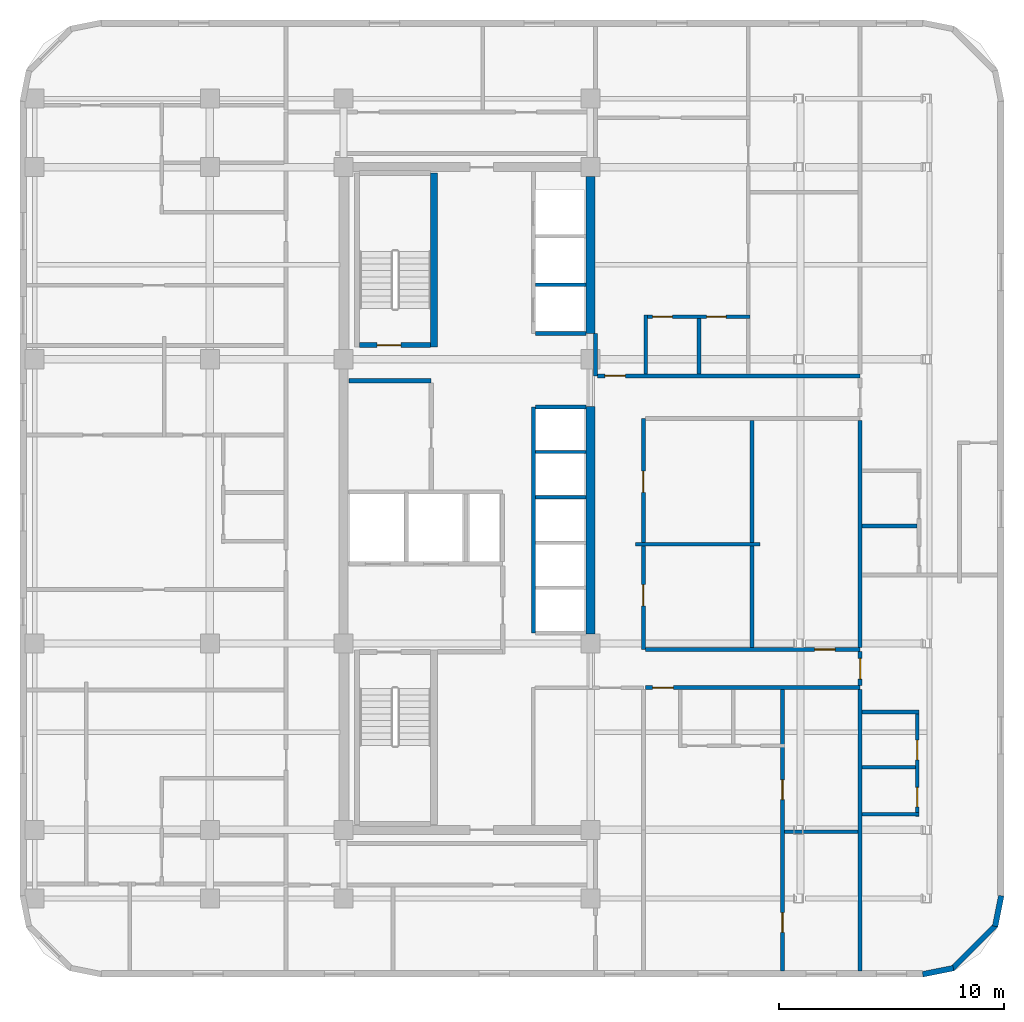
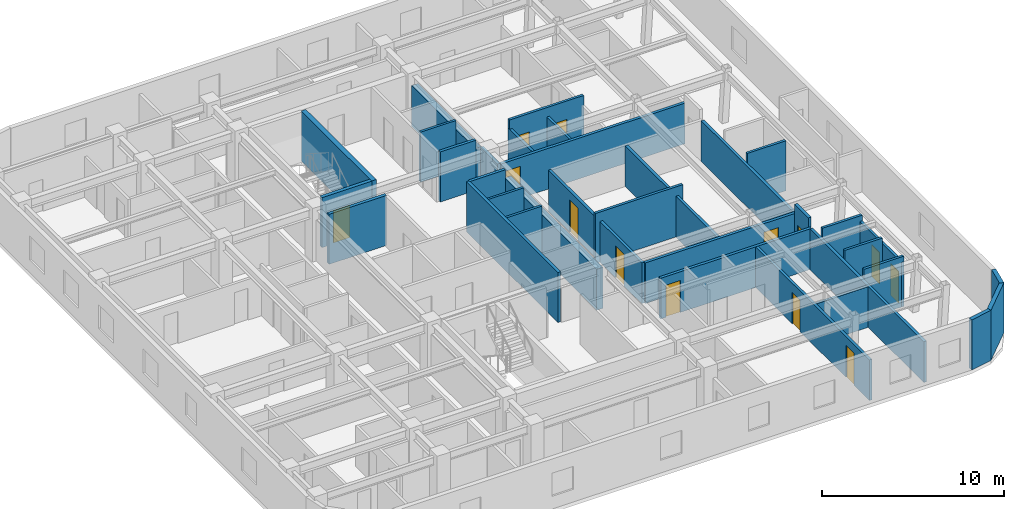
# One storey, part 5 of 8: 34 walls, 13 doors, 13 openings.
"""IFC4 building model written with IfcOpenShell, lengths in metres."""

from ifc_helpers import new_model, si_unit, direction, frame, frame_2d, origin, place, context, subcontext, project, spatial, rectangle, extrude, material, layer, layer_set, type_object, element, fill, save


model = new_model("IFC4")

# Units and contexts
model_context = context("Model", 3, precision=1e-05, world=origin(), true_north=direction((0.0, 1.0)))
body_context = subcontext(model_context, "Body", "Model", "MODEL_VIEW")
ifc_project = project(units=[si_unit("LENGTHUNIT", "METRE"), si_unit("AREAUNIT", "SQUARE_METRE"), si_unit("VOLUMEUNIT", "CUBIC_METRE"), si_unit("PLANEANGLEUNIT", "RADIAN"), si_unit("MASSUNIT", "GRAM", prefix="KILO")], contexts=[model_context])

# Site, building, storey
site_placement = place(None, origin())
site = spatial("IfcSite", under=ifc_project, at=site_placement, CompositionType="ELEMENT")
building_placement = place(site_placement, origin())
building = spatial("IfcBuilding", under=site, at=building_placement, Name="Ochreholt Gables", CompositionType="ELEMENT")
storey_placement = place(building_placement, frame((0.0, 0.0, 128.39990234375)))
storey = spatial("IfcBuildingStorey", under=building, at=storey_placement, Name="L33", CompositionType="ELEMENT", Elevation=128.39990234375)

# Walls
ifc_material_1 = material(Name="Concrete 60 MPa", Category="concrete")
ifc_layer_1 = layer(ifc_material_1, 0.39990234375, Name="Concrete 60 MPa")
ifc_layer_set_1 = layer_set([ifc_layer_1], Name="Concrete 60 MPa")
wall_type_1 = type_object("IfcWallType", Name="WALL-CSW-400", PredefinedType="SHEAR", material=ifc_layer_set_1)
wall_1_placement = place(storey_placement, frame((35.199951171875, 17.97509765625, 0.0), z_axis=(0.0, 0.0, 1.0), x_axis=(0.0, 1.0, 0.0)))
element("IfcWall", 1, at=wall_1_placement, inside=storey, type_object=wall_type_1, Name="L33 Core Central-East Shear Wall", PredefinedType="SHEAR", context=body_context, shape_type="SweptSolid", body=[
    extrude(rectangle(XDim=10.125, YDim=0.39990234375, at=frame_2d((5.0625, 0.0))), origin(), (0.0, 0.0, 1.0), 2.7490234375),
])
wall_2_placement = place(storey_placement, frame((35.199951171875, 31.35009765625, 0.0), z_axis=(0.0, 0.0, 1.0), x_axis=(0.0, 1.0, 0.0)))
element("IfcWall", 2, at=wall_2_placement, inside=storey, type_object=wall_type_1, Name="L33 Core North-East Shear Wall", PredefinedType="SHEAR", context=body_context, shape_type="SweptSolid", body=[
    extrude(rectangle(XDim=6.974853515625, YDim=0.39990234375, at=frame_2d((3.4873046875, 0.0))), origin(), (0.0, 0.0, 1.0), 2.7490234375),
])
ifc_material_2 = material(Name="Precast concrete 40 MPa", Category="concrete")
ifc_layer_2 = layer(ifc_material_2, 0.25, Name="Precast concrete 40 MPa")
ifc_layer_set_2 = layer_set([ifc_layer_2], Name="Precast concrete 40 MPa")
wall_type_2 = type_object("IfcWallType", Name="WALL-EXT-CNR", PredefinedType="SOLIDWALL", material=ifc_layer_set_2)
wall_3_placement = place(storey_placement, frame((49.9833984375, 2.82421875, 0.0), z_axis=(0.0, 0.0, 1.0), x_axis=(0.980809899341, 0.19496651342, 0.0)))
element("IfcWall", 3, at=wall_3_placement, inside=storey, type_object=wall_type_2, Name="L33 Rounded Corner Wall SE-1", PredefinedType="SOLIDWALL", context=body_context, shape_type="SweptSolid", body=[
    extrude(rectangle(XDim=1.388671875, YDim=0.25, at=frame_2d((0.6943359375, 0.0))), origin(), (0.0, 0.0, 1.0), 3.360107421875),
])
wall_4_placement = place(storey_placement, frame((51.294921875, 3.068115234375, 0.0), z_axis=(0.0, 0.0, 1.0), x_axis=(0.707151344399, 0.707062215165, 0.0)))
element("IfcWall", 4, at=wall_4_placement, inside=storey, type_object=wall_type_2, Name="L33 Rounded Corner Wall SE-2", PredefinedType="SOLIDWALL", context=body_context, shape_type="SweptSolid", body=[
    extrude(rectangle(XDim=2.7392578125, YDim=0.25, at=frame_2d((1.36962890625, 0.0))), origin(), (0.0, 0.0, 1.0), 3.360107421875),
])
wall_5_placement = place(storey_placement, frame((53.205078125, 4.95458984375, 0.0), z_axis=(0.0, 0.0, 1.0), x_axis=(0.195000137217, 0.980803214965, 0.0)))
element("IfcWall", 5, at=wall_5_placement, inside=storey, type_object=wall_type_2, Name="L33 Rounded Corner Wall SE-3", PredefinedType="SOLIDWALL", context=body_context, shape_type="SweptSolid", body=[
    extrude(rectangle(XDim=1.388427734375, YDim=0.25, at=frame_2d((0.6943359375, 0.0))), origin(), (0.0, 0.0, 1.0), 3.360107421875),
])
ifc_material_3 = material(Name="Concrete 40 MPa", Category="concrete")
ifc_layer_3 = layer(ifc_material_3, 0.199951171875, Name="Concrete 40 MPa")
ifc_layer_set_3 = layer_set([ifc_layer_3], Name="Concrete 40 MPa")
wall_type_3 = type_object("IfcWallType", Name="WALL-INT-CF200", PredefinedType="STANDARD", material=ifc_layer_set_3)
wall_6_placement = place(storey_placement, frame((24.449951171875, 29.239990234375, 0.0), z_axis=(0.0, 0.0, 1.0), x_axis=(1.0, 0.0, 0.0)))
element("IfcWall", 6, at=wall_6_placement, inside=storey, type_object=wall_type_3, Name="L33 Interior Wall WI-SRVN-L33", PredefinedType="STANDARD", context=body_context, shape_type="SweptSolid", body=[
    extrude(rectangle(XDim=3.650146484375, YDim=0.199951171875, at=frame_2d((1.8251953125, 0.0))), origin(), (0.0, 0.0, 1.0), 3.360107421875),
])

# Wall, openings, doors
ifc_material_4 = material(Name="Fire-Rated Gypsum Acoustic Partition", Category="gypsum")
ifc_layer_4 = layer(ifc_material_4, 0.179931640625, Name="Fire-Rated Gypsum Acoustic Partition")
ifc_layer_set_4 = layer_set([ifc_layer_4], Name="Fire-Rated Gypsum Acoustic Partition")
wall_type_4 = type_object("IfcWallType", Name="WALL-INT-CR180", PredefinedType="STANDARD", material=ifc_layer_set_4)
wall_7_placement = place(storey_placement, frame((37.550048828125, 17.280029296875, 0.0), z_axis=(0.0, 0.0, 1.0), x_axis=(0.0, 1.0, 0.0)))
wall_7 = element("IfcWall", 7, at=wall_7_placement, inside=storey, type_object=wall_type_4, Name="L33 Interior Wall WI-C2EM-L33", PredefinedType="STANDARD", context=body_context, shape_type="SweptSolid", body=[
    extrude(rectangle(XDim=10.280029296875, YDim=0.179931640625, at=frame_2d((5.14013671875, 0.0))), origin(), (0.0, 0.0, 1.0), 2.731201171875),
])
opening_1_placement = place(wall_7_placement, frame((1.93994140625, 0.0, 0.0)))
opening_1 = element("IfcOpeningElement", 8, at=opening_1_placement, cuts=wall_7, Name="Opening D-GN1", PredefinedType="OPENING", context=body_context, shape_type="SweptSolid", body=[
    extrude(rectangle(XDim=0.949951171875, YDim=2.14990234375, at=frame_2d((0.47509765625, 1.074951171875))), frame((0.0, 0.099853515625, 0.0), z_axis=(0.0, -1.0, 0.0), x_axis=(1.0, 0.0, 0.0)), (0.0, 0.0, 1.0), 0.199951171875),
])
opening_2_placement = place(wall_7_placement, frame((6.989990234375, 0.0, 0.0)))
opening_2 = element("IfcOpeningElement", 9, at=opening_2_placement, cuts=wall_7, Name="Opening D-GN1", PredefinedType="OPENING", context=body_context, shape_type="SweptSolid", body=[
    extrude(rectangle(XDim=0.949951171875, YDim=2.14990234375, at=frame_2d((0.47509765625, 1.074951171875))), frame((0.0, 0.099853515625, 0.0), z_axis=(0.0, -1.0, 0.0), x_axis=(1.0, 0.0, 0.0)), (0.0, 0.0, 1.0), 0.199951171875),
])
ifc_material_5 = material(Name="Engineered Oak Timber", Category="wood")
door_type_1 = type_object("IfcDoorType", Name="DR-INT-GEN950", OperationType="NOTDEFINED", PredefinedType="DOOR", material=ifc_material_5)
door_1_placement = place(opening_1_placement, origin())
door_1 = element("IfcDoor", 10, at=door_1_placement, inside=storey, type_object=door_type_1, Name="L33 Door D-U-L33M1A-ENT", OperationType="SINGLE_SWING_RIGHT", OverallHeight=2.14990234375, OverallWidth=0.949951171875, PredefinedType="DOOR", context=body_context, shape_type="SweptSolid", body=[
    extrude(rectangle(XDim=0.949951171875, YDim=2.14990234375, at=frame_2d((0.47509765625, 1.074951171875))), frame((0.0, 0.02490234375, 0.0), z_axis=(0.0, -1.0, 0.0), x_axis=(1.0, 0.0, 0.0)), (0.0, 0.0, 1.0), 0.050048828125),
])
fill(opening_1, door_1)
door_2_placement = place(opening_2_placement, origin())
door_2 = element("IfcDoor", 11, at=door_2_placement, inside=storey, type_object=door_type_1, Name="L33 Door D-U-L33M1B-ENT", OperationType="SINGLE_SWING_LEFT", OverallHeight=2.14990234375, OverallWidth=0.949951171875, PredefinedType="DOOR", context=body_context, shape_type="SweptSolid", body=[
    extrude(rectangle(XDim=0.949951171875, YDim=2.14990234375, at=frame_2d((0.47509765625, 1.074951171875))), frame((0.0, 0.02490234375, 0.0), z_axis=(0.0, -1.0, 0.0), x_axis=(1.0, 0.0, 0.0)), (0.0, 0.0, 1.0), 0.050048828125),
])
fill(opening_2, door_2)

# Wall, opening, door
wall_8_placement = place(storey_placement, frame((37.632568359375, 15.580078125, 0.0), z_axis=(0.0, 0.0, 1.0), x_axis=(1.0, 0.0, 0.0)))
wall_8 = element("IfcWall", 12, at=wall_8_placement, inside=storey, type_object=wall_type_4, Name="L33 Interior Wall WI-C2SS1-L33", PredefinedType="STANDARD", context=body_context, shape_type="SweptSolid", body=[
    extrude(rectangle(XDim=9.5673828125, YDim=0.179931640625, at=frame_2d((4.78369140625, 0.0))), origin(), (0.0, 0.0, 1.0), 2.731201171875),
])
opening_3_placement = place(wall_8_placement, frame((0.327392578125, 0.0, 0.0)))
opening_3 = element("IfcOpeningElement", 13, at=opening_3_placement, cuts=wall_8, Name="Opening D-UN1", PredefinedType="OPENING", context=body_context, shape_type="SweptSolid", body=[
    extrude(rectangle(XDim=0.919921875, YDim=2.14990234375, at=frame_2d((0.4599609375, 1.074951171875))), frame((0.0, 0.099853515625, 0.0), z_axis=(0.0, -1.0, 0.0), x_axis=(1.0, 0.0, 0.0)), (0.0, 0.0, 1.0), 0.199951171875),
])
door_type_2 = type_object("IfcDoorType", Name="DR-INT-UNT920", OperationType="NOTDEFINED", PredefinedType="DOOR", material=ifc_material_5)
door_3_placement = place(opening_3_placement, origin())
door_3 = element("IfcDoor", 14, at=door_3_placement, inside=storey, type_object=door_type_2, Name="L33 Door D-U-L33S1-ENT", OperationType="SINGLE_SWING_RIGHT", OverallHeight=2.14990234375, OverallWidth=0.919921875, PredefinedType="DOOR", context=body_context, shape_type="SweptSolid", body=[
    extrude(rectangle(XDim=0.919921875, YDim=2.14990234375, at=frame_2d((0.4599609375, 1.074951171875))), frame((0.0, 0.02490234375, 0.0), z_axis=(0.0, -1.0, 0.0), x_axis=(1.0, 0.0, 0.0)), (0.0, 0.0, 1.0), 0.050048828125),
])
fill(opening_3, door_3)

wall_9_placement = place(storey_placement, frame((37.639892578125, 17.280029296875, 0.0), z_axis=(0.0, 0.0, 1.0), x_axis=(1.0, 0.0, 0.0)))
wall_9 = element("IfcWall", 15, at=wall_9_placement, inside=storey, type_object=wall_type_4, Name="L33 Interior Wall WI-C2SS2-L33", PredefinedType="STANDARD", context=body_context, shape_type="SweptSolid", body=[
    extrude(rectangle(XDim=9.56005859375, YDim=0.179931640625, at=frame_2d((4.780029296875, 0.0))), origin(), (0.0, 0.0, 1.0), 2.731201171875),
])
opening_4_placement = place(wall_9_placement, frame((7.527587890625, 0.0, 0.0)))
opening_4 = element("IfcOpeningElement", 16, at=opening_4_placement, cuts=wall_9, Name="Opening D-UN1", PredefinedType="OPENING", context=body_context, shape_type="SweptSolid", body=[
    extrude(rectangle(XDim=0.919921875, YDim=2.14990234375, at=frame_2d((0.4599609375, 1.074951171875))), frame((0.0, 0.099853515625, 0.0), z_axis=(0.0, -1.0, 0.0), x_axis=(1.0, 0.0, 0.0)), (0.0, 0.0, 1.0), 0.199951171875),
])
door_4_placement = place(opening_4_placement, origin())
door_4 = element("IfcDoor", 17, at=door_4_placement, inside=storey, type_object=door_type_2, Name="L33 Door D-U-L33M2-ENT", OperationType="SINGLE_SWING_LEFT", OverallHeight=2.14990234375, OverallWidth=0.919921875, PredefinedType="DOOR", context=body_context, shape_type="SweptSolid", body=[
    extrude(rectangle(XDim=0.919921875, YDim=2.14990234375, at=frame_2d((0.4599609375, 1.074951171875))), frame((0.0, 0.02490234375, 0.0), z_axis=(0.0, -1.0, 0.0), x_axis=(1.0, 0.0, 0.0)), (0.0, 0.0, 1.0), 0.050048828125),
])
fill(opening_4, door_4)

# Wall
wall_10_placement = place(storey_placement, frame((35.419921875, 29.4599609375, 0.0), z_axis=(0.0, 0.0, 1.0), x_axis=(0.0, 1.0, 0.0)))
element("IfcWall", 18, at=wall_10_placement, inside=storey, type_object=wall_type_4, Name="L33 Interior Wall WI-C2NCL-L33", PredefinedType="STANDARD", context=body_context, shape_type="SweptSolid", body=[
    extrude(rectangle(XDim=1.89013671875, YDim=0.179931640625, at=frame_2d((0.945068359375, 0.0))), origin(), (0.0, 0.0, 1.0), 2.731201171875),
])

# Wall, opening, door
wall_11_placement = place(storey_placement, frame((35.510009765625, 29.4599609375, 0.0), z_axis=(0.0, 0.0, 1.0), x_axis=(1.0, 0.0, 0.0)))
wall_11 = element("IfcWall", 19, at=wall_11_placement, inside=storey, type_object=wall_type_4, Name="L33 Interior Wall WI-C2SN2-L33", PredefinedType="STANDARD", context=body_context, shape_type="SweptSolid", body=[
    extrude(rectangle(XDim=11.68994140625, YDim=0.179931640625, at=frame_2d((5.844970703125, 0.0))), origin(), (0.0, 0.0, 1.0), 2.731201171875),
])
opening_5_placement = place(wall_11_placement, frame((0.320068359375, 0.0, 0.0)))
opening_5 = element("IfcOpeningElement", 20, at=opening_5_placement, cuts=wall_11, Name="Opening D-UN1", PredefinedType="OPENING", context=body_context, shape_type="SweptSolid", body=[
    extrude(rectangle(XDim=0.919921875, YDim=2.14990234375, at=frame_2d((0.4599609375, 1.074951171875))), frame((0.0, 0.099853515625, 0.0), z_axis=(0.0, -1.0, 0.0), x_axis=(1.0, 0.0, 0.0)), (0.0, 0.0, 1.0), 0.199951171875),
])
door_5_placement = place(opening_5_placement, origin())
door_5 = element("IfcDoor", 21, at=door_5_placement, inside=storey, type_object=door_type_2, Name="L33 Door D-U-L33N1-ENT", OperationType="SINGLE_SWING_LEFT", OverallHeight=2.14990234375, OverallWidth=0.919921875, PredefinedType="DOOR", context=body_context, shape_type="SweptSolid", body=[
    extrude(rectangle(XDim=0.919921875, YDim=2.14990234375, at=frame_2d((0.4599609375, 1.074951171875))), frame((0.0, 0.02490234375, 0.0), z_axis=(0.0, -1.0, 0.0), x_axis=(1.0, 0.0, 0.0)), (0.0, 0.0, 1.0), 0.050048828125),
])
fill(opening_5, door_5)

wall_12_placement = place(storey_placement, frame((47.199951171875, 15.669921875, 0.0), z_axis=(0.0, 0.0, 1.0), x_axis=(0.0, 1.0, 0.0)))
wall_12 = element("IfcWall", 22, at=wall_12_placement, inside=storey, type_object=wall_type_4, Name="L33 Interior Wall WI-C2SSE-L33", PredefinedType="STANDARD", context=body_context, shape_type="SweptSolid", body=[
    extrude(rectangle(XDim=1.52001953125, YDim=0.179931640625, at=frame_2d((0.760009765625, 0.0))), origin(), (0.0, 0.0, 1.0), 3.360107421875),
])
opening_6_placement = place(wall_12_placement, frame((0.2900390625, 0.0, 0.0)))
opening_6 = element("IfcOpeningElement", 23, at=opening_6_placement, cuts=wall_12, Name="Opening D-UN1", PredefinedType="OPENING", context=body_context, shape_type="SweptSolid", body=[
    extrude(rectangle(XDim=0.919921875, YDim=2.14990234375, at=frame_2d((0.4599609375, 1.074951171875))), frame((0.0, 0.099853515625, 0.0), z_axis=(0.0, -1.0, 0.0), x_axis=(1.0, 0.0, 0.0)), (0.0, 0.0, 1.0), 0.199951171875),
])
door_6_placement = place(opening_6_placement, origin())
door_6 = element("IfcDoor", 24, at=door_6_placement, inside=storey, type_object=door_type_2, Name="L33 Door D-U-L33FES-ENT", OperationType="SINGLE_SWING_RIGHT", OverallHeight=2.14990234375, OverallWidth=0.919921875, PredefinedType="DOOR", context=body_context, shape_type="SweptSolid", body=[
    extrude(rectangle(XDim=0.919921875, YDim=2.14990234375, at=frame_2d((0.4599609375, 1.074951171875))), frame((0.0, 0.02490234375, 0.0), z_axis=(0.0, -1.0, 0.0), x_axis=(1.0, 0.0, 0.0)), (0.0, 0.0, 1.0), 0.050048828125),
])
fill(opening_6, door_6)

# Walls
ifc_material_6 = material(Name="Double-Stud Acoustic Demising Wall", Category="gypsum")
ifc_layer_5 = layer(ifc_material_6, 0.179931640625, Name="Double-Stud Acoustic Demising Wall")
ifc_layer_set_5 = layer_set([ifc_layer_5], Name="Double-Stud Acoustic Demising Wall")
wall_type_5 = type_object("IfcWallType", Name="WALL-INT-DM180", PredefinedType="PARTITIONING", material=ifc_layer_set_5)
wall_13_placement = place(storey_placement, frame((42.375, 17.3701171875, 0.0), z_axis=(0.0, 0.0, 1.0), x_axis=(0.0, 1.0, 0.0)))
element("IfcWall", 25, at=wall_13_placement, inside=storey, type_object=wall_type_5, Name="L33 Interior Wall WI-C2UDM-L33", PredefinedType="PARTITIONING", context=body_context, shape_type="SweptSolid", body=[
    extrude(rectangle(XDim=10.099853515625, YDim=0.179931640625, at=frame_2d((5.0498046875, 0.0))), origin(), (0.0, 0.0, 1.0), 2.731201171875),
])
wall_14_placement = place(storey_placement, frame((47.199951171875, 2.97998046875, 0.0), z_axis=(0.0, 0.0, 1.0), x_axis=(0.0, 1.0, 0.0)))
element("IfcWall", 26, at=wall_14_placement, inside=storey, type_object=wall_type_5, Name="L33 Interior Wall WI-C2FEW1-L33", PredefinedType="PARTITIONING", context=body_context, shape_type="SweptSolid", body=[
    extrude(rectangle(XDim=12.510009765625, YDim=0.179931640625, at=frame_2d((6.2548828125, 0.0))), origin(), (0.0, 0.0, 1.0), 2.731201171875),
])
wall_15_placement = place(storey_placement, frame((47.199951171875, 17.3701171875, 0.0), z_axis=(0.0, 0.0, 1.0), x_axis=(0.0, 1.0, 0.0)))
element("IfcWall", 27, at=wall_15_placement, inside=storey, type_object=wall_type_5, Name="L33 Interior Wall WI-C2FEW2-L33", PredefinedType="PARTITIONING", context=body_context, shape_type="SweptSolid", body=[
    extrude(rectangle(XDim=10.099853515625, YDim=0.179931640625, at=frame_2d((5.0498046875, 0.0))), origin(), (0.0, 0.0, 1.0), 2.731201171875),
])

# Wall, openings, doors
ifc_material_7 = material(Name="Moisture-Resistant Plumbing Chase Wall", Category="gypsum")
ifc_layer_6 = layer(ifc_material_7, 0.159912109375, Name="Moisture-Resistant Plumbing Chase Wall")
ifc_layer_set_6 = layer_set([ifc_layer_6], Name="Moisture-Resistant Plumbing Chase Wall")
wall_type_6 = type_object("IfcWallType", Name="WALL-INT-PL160", PredefinedType="PLUMBINGWALL", material=ifc_layer_set_6)
wall_16_placement = place(storey_placement, frame((37.580078125, 32.094970703125, 0.0), z_axis=(0.0, 0.0, 1.0), x_axis=(1.0, 0.0, 0.0)))
wall_16 = element("IfcWall", 28, at=wall_16_placement, inside=storey, type_object=wall_type_6, Name="L33 Interior Wall WU-L33N1-WY", PredefinedType="PLUMBINGWALL", context=body_context, shape_type="SweptSolid", body=[
    extrude(rectangle(XDim=4.7099609375, YDim=0.159912109375, at=frame_2d((2.35498046875, 0.0))), origin(), (0.0, 0.0, 1.0), 3.360107421875),
])
opening_7_placement = place(wall_16_placement, frame((0.3798828125, 0.0, 0.0)))
opening_7 = element("IfcOpeningElement", 29, at=opening_7_placement, cuts=wall_16, Name="Opening D-GN2", PredefinedType="OPENING", context=body_context, shape_type="SweptSolid", body=[
    extrude(rectangle(XDim=0.8798828125, YDim=2.1201171875, at=frame_2d((0.43994140625, 1.06005859375))), frame((0.0, 0.08984375, 0.0), z_axis=(0.0, -1.0, 0.0), x_axis=(1.0, 0.0, 0.0)), (0.0, 0.0, 1.0), 0.179931640625),
])
opening_8_placement = place(wall_16_placement, frame((2.785888671875, 0.0, 0.0)))
opening_8 = element("IfcOpeningElement", 30, at=opening_8_placement, cuts=wall_16, Name="Opening D-BT1", PredefinedType="OPENING", context=body_context, shape_type="SweptSolid", body=[
    extrude(rectangle(XDim=0.860107421875, YDim=2.1201171875, at=frame_2d((0.43017578125, 1.06005859375))), frame((0.0, 0.08984375, 0.0), z_axis=(0.0, -1.0, 0.0), x_axis=(1.0, 0.0, 0.0)), (0.0, 0.0, 1.0), 0.179931640625),
])
door_type_3 = type_object("IfcDoorType", Name="DR-INT-BTH860", OperationType="NOTDEFINED", PredefinedType="DOOR", material=ifc_material_5)
door_7_placement = place(opening_8_placement, origin())
door_7 = element("IfcDoor", 31, at=door_7_placement, inside=storey, type_object=door_type_3, Name="L33 Door D-U-L33N1-BTH", OperationType="SINGLE_SWING_LEFT", OverallHeight=2.1201171875, OverallWidth=0.860107421875, PredefinedType="DOOR", context=body_context, shape_type="SweptSolid", body=[
    extrude(rectangle(XDim=0.860107421875, YDim=2.1201171875, at=frame_2d((0.43017578125, 1.06005859375))), frame((0.0, 0.02490234375, 0.0), z_axis=(0.0, -1.0, 0.0), x_axis=(1.0, 0.0, 0.0)), (0.0, 0.0, 1.0), 0.050048828125),
])
fill(opening_8, door_7)
door_type_4 = type_object("IfcDoorType", Name="DR-INT-GEN880", OperationType="NOTDEFINED", PredefinedType="DOOR", material=ifc_material_5)
door_8_placement = place(opening_7_placement, origin())
door_8 = element("IfcDoor", 32, at=door_8_placement, inside=storey, type_object=door_type_4, Name="L33 Door D-U-L33N1-KIT", OperationType="SINGLE_SWING_RIGHT", OverallHeight=2.1201171875, OverallWidth=0.8798828125, PredefinedType="DOOR", context=body_context, shape_type="SweptSolid", body=[
    extrude(rectangle(XDim=0.8798828125, YDim=2.1201171875, at=frame_2d((0.43994140625, 1.06005859375))), frame((0.0, 0.02490234375, 0.0), z_axis=(0.0, -1.0, 0.0), x_axis=(1.0, 0.0, 0.0)), (0.0, 0.0, 1.0), 0.050048828125),
])
fill(opening_7, door_8)

# Walls
wall_17_placement = place(storey_placement, frame((37.659912109375, 29.550048828125, 0.0), z_axis=(0.0, 0.0, 1.0), x_axis=(0.0, 1.0, 0.0)))
element("IfcWall", 33, at=wall_17_placement, inside=storey, type_object=wall_type_6, Name="L33 Interior Wall WU-L33N1-FY", PredefinedType="PLUMBINGWALL", context=body_context, shape_type="SweptSolid", body=[
    extrude(rectangle(XDim=2.625, YDim=0.159912109375, at=frame_2d((1.3125, 0.0))), origin(), (0.0, 0.0, 1.0), 2.731201171875),
])
wall_18_placement = place(storey_placement, frame((40.02587890625, 29.550048828125, 0.0), z_axis=(0.0, 0.0, 1.0), x_axis=(0.0, 1.0, 0.0)))
element("IfcWall", 34, at=wall_18_placement, inside=storey, type_object=wall_type_6, Name="L33 Interior Wall WU-L33N1-WK", PredefinedType="PLUMBINGWALL", context=body_context, shape_type="SweptSolid", body=[
    extrude(rectangle(XDim=2.46484375, YDim=0.159912109375, at=frame_2d((1.232421875, 0.0))), origin(), (0.0, 0.0, 1.0), 2.731201171875),
])
for number, where, z_axis, x_axis, name in (
    (35, (47.2900390625, 9.947021484375, 0.0), (0.0, 0.0, 1.0), (1.0, 0.0, 0.0), "L33 Interior Wall WU-L33FES-WYS"),
    (36, (47.2900390625, 14.496826171875, 0.0), (0.0, 0.0, 1.0), (1.0, 0.0, 0.0), "L33 Interior Wall WU-L33FES-WYN"),
):
    element("IfcWall", number, at=place(storey_placement, frame(where, z_axis=z_axis, x_axis=x_axis)), inside=storey, type_object=wall_type_6, Name=name, PredefinedType="PLUMBINGWALL", context=body_context, shape_type="SweptSolid", body=[
        extrude(rectangle(XDim=2.530029296875, YDim=0.159912109375, at=frame_2d((1.26513671875, 0.0))), origin(), (0.0, 0.0, 1.0), 3.360107421875),
    ])

# Wall, openings, doors
wall_19_placement = place(storey_placement, frame((49.739990234375, 9.85693359375, 0.0), z_axis=(0.0, 0.0, 1.0), x_axis=(0.0, 1.0, 0.0)))
wall_19 = element("IfcWall", 37, at=wall_19_placement, inside=storey, type_object=wall_type_6, Name="L33 Interior Wall WU-L33FES-WX", PredefinedType="PLUMBINGWALL", context=body_context, shape_type="SweptSolid", body=[
    extrude(rectangle(XDim=4.72998046875, YDim=0.159912109375, at=frame_2d((2.364990234375, 0.0))), origin(), (0.0, 0.0, 1.0), 2.988037109375),
])
opening_9_placement = place(wall_19_placement, frame((0.419921875, 0.0, 0.0)))
opening_9 = element("IfcOpeningElement", 38, at=opening_9_placement, cuts=wall_19, Name="Opening D-BT1", PredefinedType="OPENING", context=body_context, shape_type="SweptSolid", body=[
    extrude(rectangle(XDim=0.860107421875, YDim=2.1201171875, at=frame_2d((0.43017578125, 1.06005859375))), frame((0.0, 0.08984375, 0.0), z_axis=(0.0, -1.0, 0.0), x_axis=(1.0, 0.0, 0.0)), (0.0, 0.0, 1.0), 0.179931640625),
])
opening_10_placement = place(wall_19_placement, frame((2.512939453125, 0.0, 0.0)))
opening_10 = element("IfcOpeningElement", 39, at=opening_10_placement, cuts=wall_19, Name="Opening D-GN2", PredefinedType="OPENING", context=body_context, shape_type="SweptSolid", body=[
    extrude(rectangle(XDim=0.8798828125, YDim=2.1201171875, at=frame_2d((0.43994140625, 1.06005859375))), frame((0.0, 0.08984375, 0.0), z_axis=(0.0, -1.0, 0.0), x_axis=(1.0, 0.0, 0.0)), (0.0, 0.0, 1.0), 0.179931640625),
])
door_9_placement = place(opening_9_placement, origin())
door_9 = element("IfcDoor", 40, at=door_9_placement, inside=storey, type_object=door_type_3, Name="L33 Door D-U-L33FES-BTH", OperationType="SINGLE_SWING_LEFT", OverallHeight=2.1201171875, OverallWidth=0.860107421875, PredefinedType="DOOR", context=body_context, shape_type="SweptSolid", body=[
    extrude(rectangle(XDim=0.860107421875, YDim=2.1201171875, at=frame_2d((0.43017578125, 1.06005859375))), frame((0.0, 0.02490234375, 0.0), z_axis=(0.0, -1.0, 0.0), x_axis=(1.0, 0.0, 0.0)), (0.0, 0.0, 1.0), 0.050048828125),
])
fill(opening_9, door_9)
door_10_placement = place(opening_10_placement, origin())
door_10 = element("IfcDoor", 41, at=door_10_placement, inside=storey, type_object=door_type_4, Name="L33 Door D-U-L33FES-KIT", OperationType="SINGLE_SWING_RIGHT", OverallHeight=2.1201171875, OverallWidth=0.8798828125, PredefinedType="DOOR", context=body_context, shape_type="SweptSolid", body=[
    extrude(rectangle(XDim=0.8798828125, YDim=2.1201171875, at=frame_2d((0.43994140625, 1.06005859375))), frame((0.0, 0.02490234375, 0.0), z_axis=(0.0, -1.0, 0.0), x_axis=(1.0, 0.0, 0.0)), (0.0, 0.0, 1.0), 0.050048828125),
])
fill(opening_10, door_10)

# Walls
wall_20_placement = place(storey_placement, frame((47.2900390625, 12.039794921875, 0.0), z_axis=(0.0, 0.0, 1.0), x_axis=(1.0, 0.0, 0.0)))
element("IfcWall", 42, at=wall_20_placement, inside=storey, type_object=wall_type_6, Name="L33 Interior Wall WU-L33FES-WM", PredefinedType="PLUMBINGWALL", context=body_context, shape_type="SweptSolid", body=[
    extrude(rectangle(XDim=2.369873046875, YDim=0.159912109375, at=frame_2d((1.18505859375, 0.0))), origin(), (0.0, 0.0, 1.0), 3.360107421875),
])
wall_21_placement = place(storey_placement, frame((47.2900390625, 22.77490234375, 0.0), z_axis=(0.0, 0.0, 1.0), x_axis=(1.0, 0.0, 0.0)))
element("IfcWall", 43, at=wall_21_placement, inside=storey, type_object=wall_type_6, Name="L33 Interior Wall WU-L33FEN-WM", PredefinedType="PLUMBINGWALL", context=body_context, shape_type="SweptSolid", body=[
    extrude(rectangle(XDim=2.446044921875, YDim=0.159912109375, at=frame_2d((1.22314453125, 0.0))), origin(), (0.0, 0.0, 1.0), 3.360107421875),
])

# Wall, openings, doors
ifc_material_8 = material(Name="Gypsum Acoustic Stud Partition", Category="gypsum")
ifc_layer_7 = layer(ifc_material_8, 0.1650390625, Name="Gypsum Acoustic Stud Partition")
ifc_layer_set_7 = layer_set([ifc_layer_7], Name="Gypsum Acoustic Stud Partition")
wall_type_7 = type_object("IfcWallType", Name="WALL-INT-PT165", PredefinedType="PARTITIONING", material=ifc_layer_set_7)
wall_22_placement = place(storey_placement, frame((43.739990234375, 2.97998046875, 0.0), z_axis=(0.0, 0.0, 1.0), x_axis=(0.0, 1.0, 0.0)))
wall_22 = element("IfcWall", 44, at=wall_22_placement, inside=storey, type_object=wall_type_7, Name="L33 Interior Wall WU-L33S1-MNX", PredefinedType="PARTITIONING", context=body_context, shape_type="SweptSolid", body=[
    extrude(rectangle(XDim=12.510009765625, YDim=0.1650390625, at=frame_2d((6.2548828125, 0.0))), origin(), (0.0, 0.0, 1.0), 2.731201171875),
])
opening_11_placement = place(wall_22_placement, frame((1.705078125, 0.0, 0.0)))
opening_11 = element("IfcOpeningElement", 45, at=opening_11_placement, cuts=wall_22, Name="Opening D-BD2", PredefinedType="OPENING", context=body_context, shape_type="SweptSolid", body=[
    extrude(rectangle(XDim=0.8798828125, YDim=2.139892578125, at=frame_2d((0.43994140625, 1.06982421875))), frame((0.0, 0.092529296875, 0.0), z_axis=(0.0, -1.0, 0.0), x_axis=(1.0, 0.0, 0.0)), (0.0, 0.0, 1.0), 0.18505859375),
])
opening_12_placement = place(wall_22_placement, frame((7.6162109375, 0.0, 0.0)))
opening_12 = element("IfcOpeningElement", 46, at=opening_12_placement, cuts=wall_22, Name="Opening D-GN2", PredefinedType="OPENING", context=body_context, shape_type="SweptSolid", body=[
    extrude(rectangle(XDim=0.8798828125, YDim=2.1201171875, at=frame_2d((0.43994140625, 1.06005859375))), frame((0.0, 0.092529296875, 0.0), z_axis=(0.0, -1.0, 0.0), x_axis=(1.0, 0.0, 0.0)), (0.0, 0.0, 1.0), 0.18505859375),
])
door_type_5 = type_object("IfcDoorType", Name="DR-INT-BED880", OperationType="NOTDEFINED", PredefinedType="DOOR", material=ifc_material_5)
door_11_placement = place(opening_11_placement, origin())
door_11 = element("IfcDoor", 47, at=door_11_placement, inside=storey, type_object=door_type_5, Name="L33 Door D-U-L33S1-BD1", OperationType="SINGLE_SWING_RIGHT", OverallHeight=2.139892578125, OverallWidth=0.8798828125, PredefinedType="DOOR", context=body_context, shape_type="SweptSolid", body=[
    extrude(rectangle(XDim=0.8798828125, YDim=2.139892578125, at=frame_2d((0.43994140625, 1.06982421875))), frame((0.0, 0.02490234375, 0.0), z_axis=(0.0, -1.0, 0.0), x_axis=(1.0, 0.0, 0.0)), (0.0, 0.0, 1.0), 0.050048828125),
])
fill(opening_11, door_11)
door_12_placement = place(opening_12_placement, origin())
door_12 = element("IfcDoor", 48, at=door_12_placement, inside=storey, type_object=door_type_4, Name="L33 Door D-U-L33S1-BD2", OperationType="SINGLE_SWING_LEFT", OverallHeight=2.1201171875, OverallWidth=0.8798828125, PredefinedType="DOOR", context=body_context, shape_type="SweptSolid", body=[
    extrude(rectangle(XDim=0.8798828125, YDim=2.1201171875, at=frame_2d((0.43994140625, 1.06005859375))), frame((0.0, 0.02490234375, 0.0), z_axis=(0.0, -1.0, 0.0), x_axis=(1.0, 0.0, 0.0)), (0.0, 0.0, 1.0), 0.050048828125),
])
fill(opening_12, door_12)

# Walls
wall_23_placement = place(storey_placement, frame((43.820068359375, 9.169921875, 0.0), z_axis=(0.0, 0.0, 1.0), x_axis=(1.0, 0.0, 0.0)))
element("IfcWall", 49, at=wall_23_placement, inside=storey, type_object=wall_type_7, Name="L33 Interior Wall WU-L33S1-RDV", PredefinedType="PARTITIONING", context=body_context, shape_type="SweptSolid", body=[
    extrude(rectangle(XDim=3.2900390625, YDim=0.1650390625, at=frame_2d((1.64501953125, 0.0))), origin(), (0.0, 0.0, 1.0), 2.731201171875),
])
wall_24_placement = place(storey_placement, frame((37.18994140625, 21.969970703125, 0.0), z_axis=(0.0, 0.0, 1.0), x_axis=(1.0, 0.0, 0.0)))
element("IfcWall", 50, at=wall_24_placement, inside=storey, type_object=wall_type_7, Name="L33 Interior Wall WU-L33M1-SDV", PredefinedType="PARTITIONING", context=body_context, shape_type="SweptSolid", body=[
    extrude(rectangle(XDim=5.545166015625, YDim=0.1650390625, at=frame_2d((2.7724609375, 0.0))), origin(), (0.0, 0.0, 1.0), 3.360107421875),
])
ifc_material_9 = material(Name="Gypsum Shaftliner and Steel Stud", Category="steel")
ifc_layer_8 = layer(ifc_material_9, 0.14990234375, Name="Gypsum Shaftliner and Steel Stud")
ifc_layer_set_8 = layer_set([ifc_layer_8], Name="Gypsum Shaftliner and Steel Stud")
wall_type_8 = type_object("IfcWallType", Name="WALL-INT-SH150", PredefinedType="STANDARD", material=ifc_layer_set_8)
for number, where, z_axis, x_axis, name in (
    (51, (32.739990234375, 24.050048828125, 0.0), (0.0, 0.0, 1.0), (1.0, 0.0, 0.0), "L33 Interior Wall WI-LFHE-DHE-L33"),
    (52, (32.739990234375, 26.070068359375, 0.0), (0.0, 0.0, 1.0), (1.0, 0.0, 0.0), "L33 Interior Wall WI-LFHE-DEX1-L33"),
    (53, (32.739990234375, 33.52001953125, 0.0), (0.0, 0.0, 1.0), (1.0, 0.0, 0.0), "L33 Interior Wall WI-LFM-D1-L33"),
):
    element("IfcWall", number, at=place(storey_placement, frame(where, z_axis=z_axis, x_axis=x_axis)), inside=storey, type_object=wall_type_8, Name=name, PredefinedType="STANDARD", context=body_context, shape_type="SweptSolid", body=[
        extrude(rectangle(XDim=2.260009765625, YDim=0.14990234375, at=frame_2d((1.1298828125, 0.0))), origin(), (0.0, 0.0, 1.0), 3.360107421875),
    ])
ifc_layer_9 = layer(ifc_material_9, 0.179931640625, Name="Gypsum Shaftliner and Steel Stud")
ifc_layer_set_9 = layer_set([ifc_layer_9], Name="Gypsum Shaftliner and Steel Stud")
wall_type_9 = type_object("IfcWallType", Name="WALL-INT-SH180", PredefinedType="STANDARD", material=ifc_layer_set_9)
wall_25_placement = place(storey_placement, frame((32.64990234375, 18.02001953125, 0.0), z_axis=(0.0, 0.0, 1.0), x_axis=(0.0, 1.0, 0.0)))
element("IfcWall", 54, at=wall_25_placement, inside=storey, type_object=wall_type_9, Name="L33 Interior Wall WI-LFHE-FR-L33", PredefinedType="STANDARD", context=body_context, shape_type="SweptSolid", body=[
    extrude(rectangle(XDim=10.06005859375, YDim=0.179931640625, at=frame_2d((5.030029296875, 0.0))), origin(), (0.0, 0.0, 1.0), 3.360107421875),
])
for number, where, z_axis, x_axis, name in (
    (55, (32.739990234375, 28.080078125, 0.0), (0.0, 0.0, 1.0), (1.0, 0.0, 0.0), "L33 Interior Wall WI-LFHE-N-L33"),
    (56, (32.739990234375, 31.35009765625, 0.0), (0.0, 0.0, 1.0), (1.0, 0.0, 0.0), "L33 Interior Wall WI-LFM-S-L33"),
):
    element("IfcWall", number, at=place(storey_placement, frame(where, z_axis=z_axis, x_axis=x_axis)), inside=storey, type_object=wall_type_9, Name=name, PredefinedType="STANDARD", context=body_context, shape_type="SweptSolid", body=[
        extrude(rectangle(XDim=2.260009765625, YDim=0.179931640625, at=frame_2d((1.1298828125, 0.0))), origin(), (0.0, 0.0, 1.0), 3.360107421875),
    ])
ifc_layer_10 = layer(ifc_material_1, 0.300048828125, Name="Concrete 60 MPa")
ifc_layer_set_10 = layer_set([ifc_layer_10], Name="Concrete 60 MPa")
wall_type_10 = type_object("IfcWallType", Name="WALL-SPN-300", PredefinedType="SHEAR", material=ifc_layer_set_10)
wall_26_placement = place(storey_placement, frame((28.22998046875, 30.739990234375, 0.0), z_axis=(0.0, 0.0, 1.0), x_axis=(0.0, 1.0, 0.0)))
element("IfcWall", 57, at=wall_26_placement, inside=storey, type_object=wall_type_10, Name="L33 Core North Spine Shear Wall", PredefinedType="SHEAR", context=body_context, shape_type="SweptSolid", body=[
    extrude(rectangle(XDim=7.760009765625, YDim=0.300048828125, at=frame_2d((3.8798828125, 0.0))), origin(), (0.0, 0.0, 1.0), 3.360107421875),
])

# Wall, opening, door
ifc_material_10 = material(Name="Concrete 50 MPa", Category="concrete")
ifc_layer_11 = layer(ifc_material_10, 0.219970703125, Name="Concrete 50 MPa")
ifc_layer_set_11 = layer_set([ifc_layer_11], Name="Concrete 50 MPa")
wall_type_11 = type_object("IfcWallType", Name="WALL-STW-220", PredefinedType="SHEAR", material=ifc_layer_set_11)
wall_27_placement = place(storey_placement, frame((24.919921875, 30.830078125, 0.0), z_axis=(0.0, 0.0, 1.0), x_axis=(1.0, 0.0, 0.0)))
wall_27 = element("IfcWall", 58, at=wall_27_placement, inside=storey, type_object=wall_type_11, Name="L33 Exit Stair 2 South Wall", PredefinedType="SHEAR", context=body_context, shape_type="SweptSolid", body=[
    extrude(rectangle(XDim=3.16015625, YDim=0.219970703125, at=frame_2d((1.580078125, 0.0))), origin(), (0.0, 0.0, 1.0), 3.360107421875),
])
opening_13_placement = place(wall_27_placement, frame((0.780029296875, 0.0, 0.0)))
opening_13 = element("IfcOpeningElement", 59, at=opening_13_placement, cuts=wall_27, Name="Opening D-STC", PredefinedType="OPENING", context=body_context, shape_type="SweptSolid", body=[
    extrude(rectangle(XDim=1.050048828125, YDim=2.14990234375, at=frame_2d((0.52490234375, 1.074951171875))), frame((0.0, 0.119873046875, 0.0), z_axis=(0.0, -1.0, 0.0), x_axis=(1.0, 0.0, 0.0)), (0.0, 0.0, 1.0), 0.239990234375),
])
ifc_material_11 = material(Name="Hollow Metal Steel", Category="steel")
door_type_6 = type_object("IfcDoorType", Name="DR-INT-ST1050", OperationType="NOTDEFINED", PredefinedType="DOOR", material=ifc_material_11)
door_13_placement = place(opening_13_placement, origin())
door_13 = element("IfcDoor", 60, at=door_13_placement, inside=storey, type_object=door_type_6, Name="L33 Door D-ST2-L33", OperationType="SINGLE_SWING_RIGHT", OverallHeight=2.14990234375, OverallWidth=1.050048828125, PredefinedType="DOOR", context=body_context, shape_type="SweptSolid", body=[
    extrude(rectangle(XDim=1.050048828125, YDim=2.14990234375, at=frame_2d((0.52490234375, 1.074951171875))), frame((0.0, 0.02490234375, 0.0), z_axis=(0.0, -1.0, 0.0), x_axis=(1.0, 0.0, 0.0)), (0.0, 0.0, 1.0), 0.050048828125),
])
fill(opening_13, door_13)

save(model, "model.ifc")
